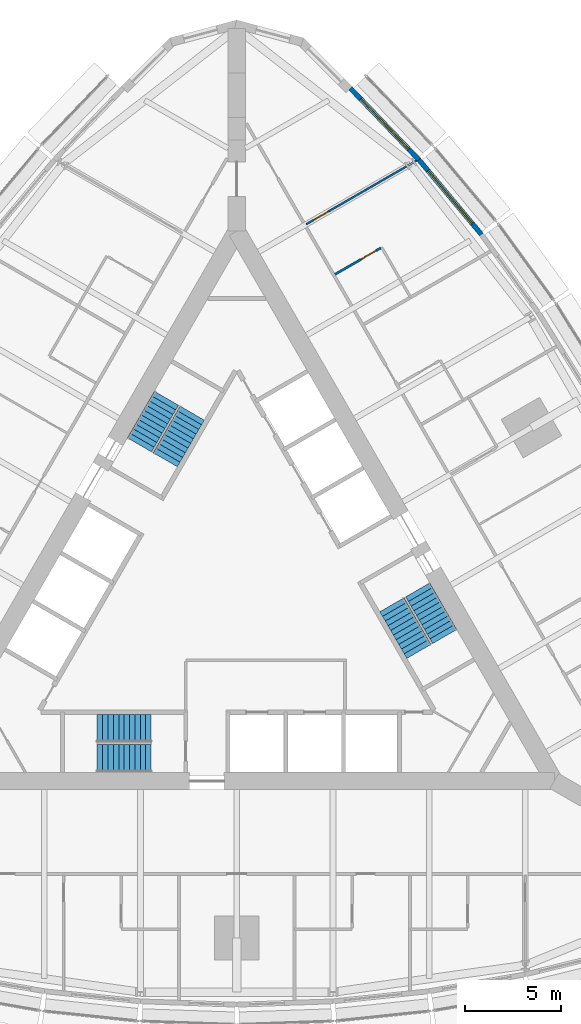
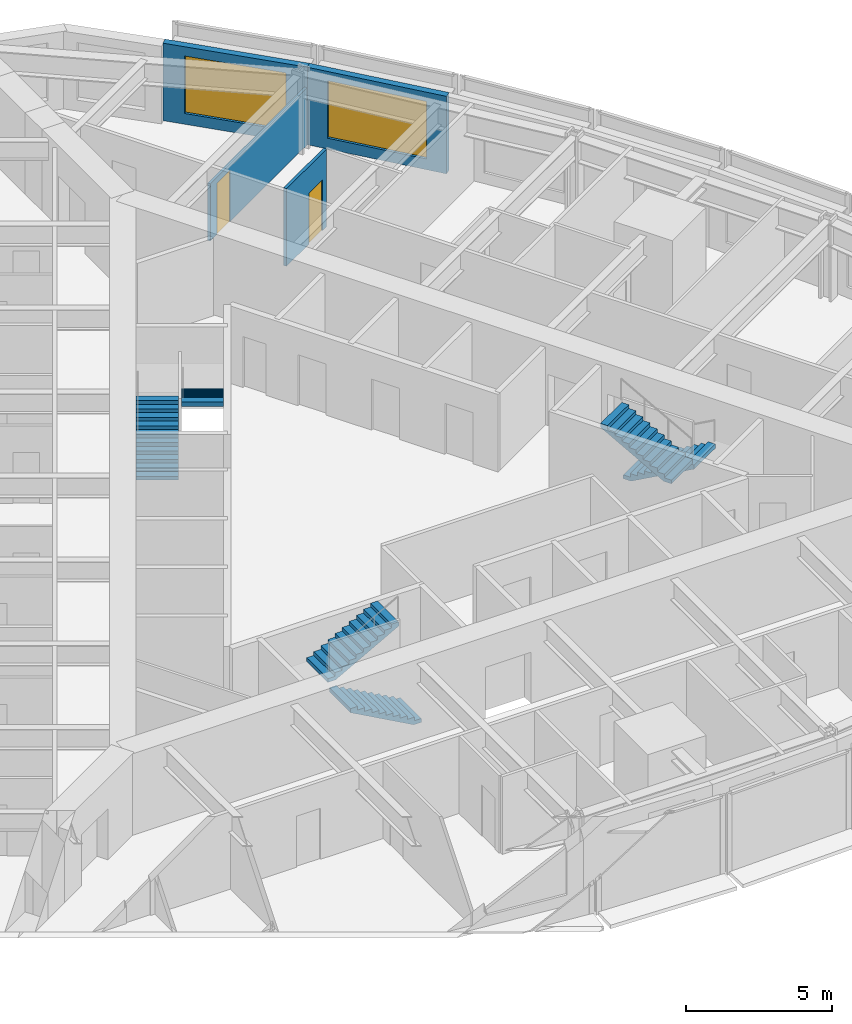
# One storey, part 13 of 14: 6 stair flights, 4 walls, 2 doors, 2 windows, 4 openings, 3 elements without a shape of their own.
"""IFC4 building model written with IfcOpenShell, lengths in metres."""

from ifc_helpers import new_model, si_unit, direction, frame, frame_2d, origin, place, context, subcontext, project, spatial, polyline, rectangle, outline, extrude, material, layer, layer_set, type_object, element, fill, aggregate, save


model = new_model("IFC4")

# Units and contexts
model_context = context("Model", 3, precision=1e-05, world=origin(), true_north=direction((0.0, 1.0)))
body_context = subcontext(model_context, "Body", "Model", "MODEL_VIEW")
ifc_project = project(units=[si_unit("LENGTHUNIT", "METRE"), si_unit("AREAUNIT", "SQUARE_METRE"), si_unit("VOLUMEUNIT", "CUBIC_METRE"), si_unit("PLANEANGLEUNIT", "RADIAN"), si_unit("MASSUNIT", "GRAM", prefix="KILO")], contexts=[model_context])

# Site, building, storey
site_placement = place(None, origin())
site = spatial("IfcSite", under=ifc_project, at=site_placement, CompositionType="ELEMENT")
building_placement = place(site_placement, origin())
building = spatial("IfcBuilding", under=site, at=building_placement, Name="Trikona Tower", CompositionType="ELEMENT")
storey_placement = place(building_placement, frame((0.0, 0.0, 165.699951171875)))
storey = spatial("IfcBuildingStorey", under=building, at=storey_placement, Name="L44", CompositionType="ELEMENT", Elevation=165.699951171875)

# Wall, opening, door
ifc_material_1 = material(Name="Metal stud and cement board", Category="gypsum")
ifc_layer_1 = layer(ifc_material_1, 0.1201171875)
ifc_layer_set_1 = layer_set([ifc_layer_1], Name="Bathroom wall 120")
wall_type_1 = type_object("IfcWallType", Name="Bathroom wall 120", PredefinedType="PLUMBINGWALL", material=ifc_layer_set_1)
wall_1_placement = place(storey_placement, frame((5.10791015625, 16.805419921875, 0.0), z_axis=(0.0, 0.0, 1.0), x_axis=(0.866035715982, 0.499982138324, 0.0)))
wall_1 = element("IfcWall", 1, at=wall_1_placement, inside=storey, type_object=wall_type_1, Name="Bathroom wall 4409.1", PredefinedType="PLUMBINGWALL", context=body_context, shape_type="SweptSolid", body=[
    extrude(rectangle(XDim=2.73974609375, YDim=0.1201171875, at=frame_2d((1.369873046875, 0.0))), origin(), (0.0, 0.0, 1.0), 3.235107421875),
])
opening_1_placement = place(wall_1_placement, frame((1.550048828125, 0.0, 0.0)))
opening_1 = element("IfcOpeningElement", 2, at=opening_1_placement, cuts=wall_1, Name="Opening D2", PredefinedType="OPENING", context=body_context, shape_type="SweptSolid", body=[
    extrude(rectangle(XDim=0.89990234375, YDim=2.1298828125, at=frame_2d((0.449951171875, 1.06494140625))), frame((0.0, 0.070068359375, 0.0), z_axis=(0.0, -1.0, 0.0), x_axis=(1.0, 0.0, 0.0)), (0.0, 0.0, 1.0), 0.14013671875),
])
ifc_material_2 = material(Name="Steel door frame with solid-core timber leaf", Category="steel")
door_type_1 = type_object("IfcDoorType", Name="Bathroom door 900x2130", OperationType="SLIDING_TO_LEFT", PredefinedType="DOOR", material=ifc_material_2)
door_1_placement = place(opening_1_placement, origin())
door_1 = element("IfcDoor", 3, at=door_1_placement, inside=storey, type_object=door_type_1, Name="Bathroom door 4409.1", OperationType="SLIDING_TO_LEFT", OverallHeight=2.1298828125, OverallWidth=0.89990234375, PredefinedType="DOOR", context=body_context, shape_type="SweptSolid", body=[
    extrude(rectangle(XDim=0.89990234375, YDim=2.1298828125, at=frame_2d((0.449951171875, 1.06494140625))), frame((0.0, 0.02490234375, 0.0), z_axis=(0.0, -1.0, 0.0), x_axis=(1.0, 0.0, 0.0)), (0.0, 0.0, 1.0), 0.050048828125),
])
fill(opening_1, door_1)

# Wall, opening, window
ifc_material_3 = material(Name="Insulated precast concrete spandrel panel", Category="concrete")
ifc_layer_2 = layer(ifc_material_3, 0.25)
ifc_layer_set_2 = layer_set([ifc_layer_2], Name="Inner skin wall 250")
wall_type_2 = type_object("IfcWallType", Name="Inner skin wall 250", PredefinedType="STANDARD", material=ifc_layer_set_2)
wall_2_placement = place(storey_placement, frame((12.722900390625, 18.86767578125, 0.0), z_axis=(0.0, 0.0, 1.0), x_axis=(-0.641810386606, 0.766863369607, 0.0)))
wall_2 = element("IfcWall", 4, at=wall_2_placement, inside=storey, type_object=wall_type_2, Name="External wall L44-18", PredefinedType="STANDARD", context=body_context, shape_type="SweptSolid", body=[
    extrude(rectangle(XDim=5.075927734375, YDim=0.25, at=frame_2d((2.5380859375, 0.0))), origin(), (0.0, 0.0, 1.0), 3.235107421875),
])
opening_2_placement = place(wall_2_placement, frame((0.738037109375, 0.0, 0.449951171875)))
opening_2 = element("IfcOpeningElement", 5, at=opening_2_placement, cuts=wall_2, Name="Opening W3624", PredefinedType="OPENING", context=body_context, shape_type="SweptSolid", body=[
    extrude(rectangle(XDim=3.60009765625, YDim=2.39990234375, at=frame_2d((1.800048828125, 1.199951171875))), frame((0.0, 0.135009765625, 0.0), z_axis=(0.0, -1.0, 0.0), x_axis=(1.0, 0.0, 0.0)), (0.0, 0.0, 1.0), 0.27001953125),
])
ifc_material_4 = material(Name="Aluminium-framed double glazing", Category="aluminium")
window_type = type_object("IfcWindowType", Name="Window 3600x2400", PartitioningType="SINGLE_PANEL", PredefinedType="WINDOW", material=ifc_material_4)
window_1_placement = place(opening_2_placement, origin())
window_1 = element("IfcWindow", 6, at=window_1_placement, inside=storey, type_object=window_type, Name="Window 4409.1", OverallHeight=2.39990234375, OverallWidth=3.60009765625, PartitioningType="SINGLE_PANEL", PredefinedType="WINDOW", context=body_context, shape_type="SweptSolid", body=[
    extrude(rectangle(XDim=3.60009765625, YDim=2.39990234375, at=frame_2d((1.800048828125, 1.199951171875))), frame((0.0, 0.030029296875, 0.0), z_axis=(0.0, -1.0, 0.0), x_axis=(1.0, 0.0, 0.0)), (0.0, 0.0, 1.0), 0.06005859375),
])
fill(opening_2, window_1)

wall_3_placement = place(storey_placement, frame((9.470703125, 22.75390625, 0.0), z_axis=(0.0, 0.0, 1.0), x_axis=(-0.691719937936, 0.722165858693, 0.0)))
wall_3 = element("IfcWall", 7, at=wall_3_placement, inside=storey, type_object=wall_type_2, Name="External wall L44-19", PredefinedType="STANDARD", context=body_context, shape_type="SweptSolid", body=[
    extrude(rectangle(XDim=5.148193359375, YDim=0.25, at=frame_2d((2.57421875, 0.0))), origin(), (0.0, 0.0, 1.0), 3.235107421875),
])
opening_3_placement = place(wall_3_placement, frame((0.77392578125, 0.0, 0.449951171875)))
opening_3 = element("IfcOpeningElement", 8, at=opening_3_placement, cuts=wall_3, Name="Opening W3624", PredefinedType="OPENING", context=body_context, shape_type="SweptSolid", body=[
    extrude(rectangle(XDim=3.60009765625, YDim=2.39990234375, at=frame_2d((1.800048828125, 1.199951171875))), frame((0.0, 0.135009765625, 0.0), z_axis=(0.0, -1.0, 0.0), x_axis=(1.0, 0.0, 0.0)), (0.0, 0.0, 1.0), 0.27001953125),
])
window_2_placement = place(opening_3_placement, origin())
window_2 = element("IfcWindow", 9, at=window_2_placement, inside=storey, type_object=window_type, Name="Window 4409", OverallHeight=2.39990234375, OverallWidth=3.60009765625, PartitioningType="SINGLE_PANEL", PredefinedType="WINDOW", context=body_context, shape_type="SweptSolid", body=[
    extrude(rectangle(XDim=3.60009765625, YDim=2.39990234375, at=frame_2d((1.800048828125, 1.199951171875))), frame((0.0, 0.030029296875, 0.0), z_axis=(0.0, -1.0, 0.0), x_axis=(1.0, 0.0, 0.0)), (0.0, 0.0, 1.0), 0.06005859375),
])
fill(opening_3, window_2)

# Wall, opening, door
ifc_material_5 = material(Name="Metal stud and gypsum board, acoustic", Category="gypsum")
ifc_layer_3 = layer(ifc_material_5, 0.10009765625)
ifc_layer_set_3 = layer_set([ifc_layer_3], Name="Suite partition 100")
wall_type_3 = type_object("IfcWallType", Name="Suite partition 100", PredefinedType="PARTITIONING", material=ifc_layer_set_3)
wall_4_placement = place(storey_placement, frame((3.60791015625, 19.403564453125, 0.0), z_axis=(0.0, 0.0, 1.0), x_axis=(0.866015989873, 0.500016305018, 0.0)))
wall_4 = element("IfcWall", 10, at=wall_4_placement, inside=storey, type_object=wall_type_3, Name="Suite partition L44 F2 u15", PredefinedType="PARTITIONING", context=body_context, shape_type="SweptSolid", body=[
    extrude(rectangle(XDim=6.616455078125, YDim=0.10009765625, at=frame_2d((3.30810546875, 0.0))), origin(), (0.0, 0.0, 1.0), 2.38916015625),
])
opening_4_placement = place(wall_4_placement, frame((0.449951171875, 0.0, 0.0)))
opening_4 = element("IfcOpeningElement", 11, at=opening_4_placement, cuts=wall_4, Name="Opening D13", PredefinedType="OPENING", context=body_context, shape_type="SweptSolid", body=[
    extrude(rectangle(XDim=0.89990234375, YDim=2.1298828125, at=frame_2d((0.449951171875, 1.06494140625))), frame((0.0, 0.06005859375, 0.0), z_axis=(0.0, -1.0, 0.0), x_axis=(1.0, 0.0, 0.0)), (0.0, 0.0, 1.0), 0.1201171875),
])
ifc_material_6 = material(Name="Steel door frame with solid-core timber leaf", Category="steel")
door_type_2 = type_object("IfcDoorType", Name="Suite door 900x2130", OperationType="SINGLE_SWING_LEFT", PredefinedType="DOOR", material=ifc_material_6)
door_2_placement = place(opening_4_placement, origin())
door_2 = element("IfcDoor", 12, at=door_2_placement, inside=storey, type_object=door_type_2, Name="Suite door 4409", OperationType="SINGLE_SWING_LEFT", OverallHeight=2.1298828125, OverallWidth=0.89990234375, PredefinedType="DOOR", context=body_context, shape_type="SweptSolid", body=[
    extrude(rectangle(XDim=0.89990234375, YDim=2.1298828125, at=frame_2d((0.449951171875, 1.06494140625))), frame((0.0, 0.02490234375, 0.0), z_axis=(0.0, -1.0, 0.0), x_axis=(1.0, 0.0, 0.0)), (0.0, 0.0, 1.0), 0.050048828125),
])
fill(opening_4, door_2)

# Stair, stair flights
ifc_material_7 = material(Name="Concrete f'c 5000 psi", Category="concrete")
stair_type = type_object("IfcStairType", Name="Core stair", PredefinedType="HALF_TURN_STAIR", material=ifc_material_7)
stair_1_placement = place(storey_placement, origin())
stair_1 = element("IfcStair", 13, at=stair_1_placement, inside=storey, type_object=stair_type, Name="Stair A L44", PredefinedType="HALF_TURN_STAIR")
ifc_material_8 = material(Name="Concrete f'c 5000 psi", Category="concrete")
stair_flight_type = type_object("IfcStairFlightType", Name="Core stair flight 1450", PredefinedType="STRAIGHT", material=ifc_material_8)
stair_flight_1_placement = place(storey_placement, frame((-4.449951171875, -8.351318359375, 0.0), z_axis=(0.0, 0.0, 1.0), x_axis=(-1.0, 0.0, 0.0)))
stair_flight_1 = element("IfcStairFlight", 14, at=stair_flight_1_placement, type_object=stair_flight_type, Name="ST-A flight 1", NumberOfRisers=11, NumberOfTreads=10, PredefinedType="STRAIGHT", RiserHeight=0.154545, TreadLength=0.28, context=body_context, shape_type="SweptSolid", body=[
    extrude(outline(polyline([(0.0, 0.0), (0.0, 0.154541015625), (0.280029296875, 0.154541015625), (0.280029296875, 0.30908203125), (0.56005859375, 0.30908203125), (0.56005859375, 0.463623046875), (0.840087890625, 0.463623046875), (0.840087890625, 0.6181640625), (1.1201171875, 0.6181640625), (1.1201171875, 0.772705078125), (1.39990234375, 0.772705078125), (1.39990234375, 0.92724609375), (1.679931640625, 0.92724609375), (1.679931640625, 1.081787109375), (1.9599609375, 1.081787109375), (1.9599609375, 1.236328125), (2.239990234375, 1.236328125), (2.239990234375, 1.390869140625), (2.52001953125, 1.390869140625), (2.52001953125, 1.54541015625), (2.800048828125, 1.54541015625), (2.800048828125, 1.699951171875), (2.800048828125, 1.374267578125), (0.310302734375, 0.0), (0.0, 0.0)])), frame((0.0, 0.72509765625, 0.0), z_axis=(0.0, -1.0, 0.0), x_axis=(1.0, 0.0, 0.0)), (0.0, 0.0, 1.0), 1.449951171875),
])
stair_flight_2_placement = place(storey_placement, frame((-7.25, -6.80126953125, 1.699951171875), z_axis=(0.0, 0.0, 1.0), x_axis=(1.0, 0.0, 0.0)))
stair_flight_2 = element("IfcStairFlight", 15, at=stair_flight_2_placement, type_object=stair_flight_type, Name="ST-A flight 2", NumberOfRisers=11, NumberOfTreads=10, PredefinedType="STRAIGHT", RiserHeight=0.154545, TreadLength=0.28, context=body_context, shape_type="SweptSolid", body=[
    extrude(outline(polyline([(0.0, 0.0), (0.0, 0.154541015625), (0.280029296875, 0.154541015625), (0.280029296875, 0.30908203125), (0.56005859375, 0.30908203125), (0.56005859375, 0.463623046875), (0.840087890625, 0.463623046875), (0.840087890625, 0.6181640625), (1.1201171875, 0.6181640625), (1.1201171875, 0.772705078125), (1.39990234375, 0.772705078125), (1.39990234375, 0.92724609375), (1.679931640625, 0.92724609375), (1.679931640625, 1.081787109375), (1.9599609375, 1.081787109375), (1.9599609375, 1.236328125), (2.239990234375, 1.236328125), (2.239990234375, 1.390869140625), (2.52001953125, 1.390869140625), (2.52001953125, 1.54541015625), (2.800048828125, 1.54541015625), (2.800048828125, 1.699951171875), (2.800048828125, 1.374267578125), (0.310302734375, 0.0), (0.0, 0.0)])), frame((0.0, 0.72509765625, 0.0), z_axis=(0.0, -1.0, 0.0), x_axis=(1.0, 0.0, 0.0)), (0.0, 0.0, 1.0), 1.449951171875),
])
aggregate(stair_1, [stair_flight_1, stair_flight_2])

stair_2_placement = place(storey_placement, origin())
stair_2 = element("IfcStair", 16, at=stair_2_placement, inside=storey, type_object=stair_type, Name="Stair B L44", PredefinedType="HALF_TURN_STAIR")
stair_flight_3_placement = place(storey_placement, frame((9.407470703125, 0.408447265625, 0.0), z_axis=(0.0, 0.0, 1.0), x_axis=(0.5, -0.866025403784, 0.0)))
stair_flight_3 = element("IfcStairFlight", 17, at=stair_flight_3_placement, type_object=stair_flight_type, Name="ST-B flight 1", NumberOfRisers=11, NumberOfTreads=10, PredefinedType="STRAIGHT", RiserHeight=0.154545, TreadLength=0.28, context=body_context, shape_type="SweptSolid", body=[
    extrude(outline(polyline([(0.0, 0.0), (0.0, 0.154541015625), (0.280029296875, 0.154541015625), (0.280029296875, 0.30908203125), (0.56005859375, 0.30908203125), (0.56005859375, 0.463623046875), (0.840087890625, 0.463623046875), (0.840087890625, 0.6181640625), (1.1201171875, 0.6181640625), (1.1201171875, 0.772705078125), (1.39990234375, 0.772705078125), (1.39990234375, 0.92724609375), (1.679931640625, 0.92724609375), (1.679931640625, 1.081787109375), (1.9599609375, 1.081787109375), (1.9599609375, 1.236328125), (2.239990234375, 1.236328125), (2.239990234375, 1.390869140625), (2.52001953125, 1.390869140625), (2.52001953125, 1.54541015625), (2.800048828125, 1.54541015625), (2.800048828125, 1.699951171875), (2.800048828125, 1.374267578125), (0.310302734375, 0.0), (0.0, 0.0)])), frame((0.0, 0.72509765625, 0.0), z_axis=(0.0, -1.0, 0.0), x_axis=(1.0, 0.0, 0.0)), (0.0, 0.0, 1.0), 1.449951171875),
])
stair_flight_4_placement = place(storey_placement, frame((9.465087890625, -2.79150390625, 1.699951171875), z_axis=(0.0, 0.0, 1.0), x_axis=(-0.5, 0.866025403784, 0.0)))
stair_flight_4 = element("IfcStairFlight", 18, at=stair_flight_4_placement, type_object=stair_flight_type, Name="ST-B flight 2", NumberOfRisers=11, NumberOfTreads=10, PredefinedType="STRAIGHT", RiserHeight=0.154545, TreadLength=0.28, context=body_context, shape_type="SweptSolid", body=[
    extrude(outline(polyline([(0.0, 0.0), (0.0, 0.154541015625), (0.280029296875, 0.154541015625), (0.280029296875, 0.30908203125), (0.56005859375, 0.30908203125), (0.56005859375, 0.463623046875), (0.840087890625, 0.463623046875), (0.840087890625, 0.6181640625), (1.1201171875, 0.6181640625), (1.1201171875, 0.772705078125), (1.39990234375, 0.772705078125), (1.39990234375, 0.92724609375), (1.679931640625, 0.92724609375), (1.679931640625, 1.081787109375), (1.9599609375, 1.081787109375), (1.9599609375, 1.236328125), (2.239990234375, 1.236328125), (2.239990234375, 1.390869140625), (2.52001953125, 1.390869140625), (2.52001953125, 1.54541015625), (2.800048828125, 1.54541015625), (2.800048828125, 1.699951171875), (2.800048828125, 1.374267578125), (0.310302734375, 0.0), (0.0, 0.0)])), frame((0.0, 0.72509765625, 0.0), z_axis=(0.0, -1.0, 0.0), x_axis=(1.0, 0.0, 0.0)), (0.0, 0.0, 1.0), 1.449951171875),
])
aggregate(stair_2, [stair_flight_3, stair_flight_4])

stair_3_placement = place(storey_placement, origin())
stair_3 = element("IfcStair", 19, at=stair_3_placement, inside=storey, type_object=stair_type, Name="Stair C L44", PredefinedType="HALF_TURN_STAIR")
stair_flight_5_placement = place(storey_placement, frame((-5.057373046875, 7.94287109375, 0.0), z_axis=(0.0, 0.0, 1.0), x_axis=(0.5, 0.866025403784, 0.0)))
stair_flight_5 = element("IfcStairFlight", 20, at=stair_flight_5_placement, type_object=stair_flight_type, Name="ST-C flight 1", NumberOfRisers=11, NumberOfTreads=10, PredefinedType="STRAIGHT", RiserHeight=0.154545, TreadLength=0.28, context=body_context, shape_type="SweptSolid", body=[
    extrude(outline(polyline([(0.0, 0.0), (0.0, 0.154541015625), (0.280029296875, 0.154541015625), (0.280029296875, 0.30908203125), (0.56005859375, 0.30908203125), (0.56005859375, 0.463623046875), (0.840087890625, 0.463623046875), (0.840087890625, 0.6181640625), (1.1201171875, 0.6181640625), (1.1201171875, 0.772705078125), (1.39990234375, 0.772705078125), (1.39990234375, 0.92724609375), (1.679931640625, 0.92724609375), (1.679931640625, 1.081787109375), (1.9599609375, 1.081787109375), (1.9599609375, 1.236328125), (2.239990234375, 1.236328125), (2.239990234375, 1.390869140625), (2.52001953125, 1.390869140625), (2.52001953125, 1.54541015625), (2.800048828125, 1.54541015625), (2.800048828125, 1.699951171875), (2.800048828125, 1.374267578125), (0.310302734375, 0.0), (0.0, 0.0)])), frame((0.0, 0.72509765625, 0.0), z_axis=(0.0, -1.0, 0.0), x_axis=(1.0, 0.0, 0.0)), (0.0, 0.0, 1.0), 1.449951171875),
])
stair_flight_6_placement = place(storey_placement, frame((-2.315185546875, 9.5927734375, 1.699951171875), z_axis=(0.0, 0.0, 1.0), x_axis=(-0.5, -0.866025403784, 0.0)))
stair_flight_6 = element("IfcStairFlight", 21, at=stair_flight_6_placement, type_object=stair_flight_type, Name="ST-C flight 2", NumberOfRisers=11, NumberOfTreads=10, PredefinedType="STRAIGHT", RiserHeight=0.154545, TreadLength=0.28, context=body_context, shape_type="SweptSolid", body=[
    extrude(outline(polyline([(0.0, 0.0), (0.0, 0.154541015625), (0.280029296875, 0.154541015625), (0.280029296875, 0.30908203125), (0.56005859375, 0.30908203125), (0.56005859375, 0.463623046875), (0.840087890625, 0.463623046875), (0.840087890625, 0.6181640625), (1.1201171875, 0.6181640625), (1.1201171875, 0.772705078125), (1.39990234375, 0.772705078125), (1.39990234375, 0.92724609375), (1.679931640625, 0.92724609375), (1.679931640625, 1.081787109375), (1.9599609375, 1.081787109375), (1.9599609375, 1.236328125), (2.239990234375, 1.236328125), (2.239990234375, 1.390869140625), (2.52001953125, 1.390869140625), (2.52001953125, 1.54541015625), (2.800048828125, 1.54541015625), (2.800048828125, 1.699951171875), (2.800048828125, 1.374267578125), (0.310302734375, 0.0), (0.0, 0.0)])), frame((0.0, 0.72509765625, 0.0), z_axis=(0.0, -1.0, 0.0), x_axis=(1.0, 0.0, 0.0)), (0.0, 0.0, 1.0), 1.449951171875),
])
aggregate(stair_3, [stair_flight_5, stair_flight_6])

save(model, "model.ifc")
